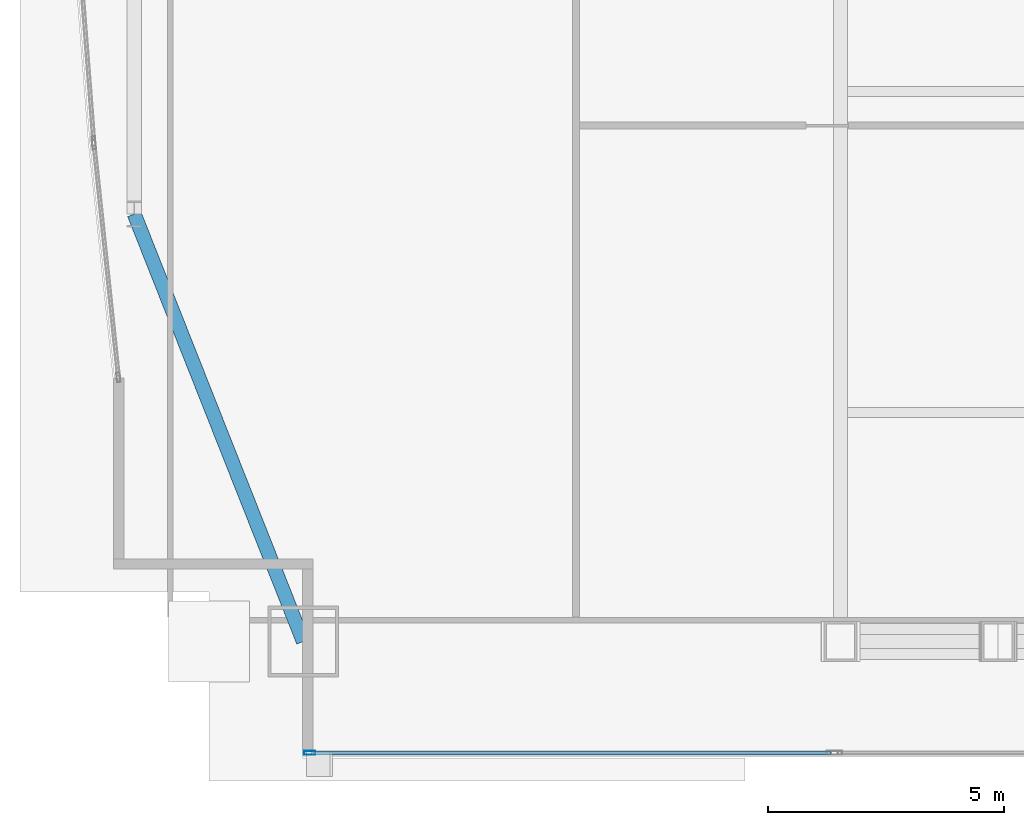
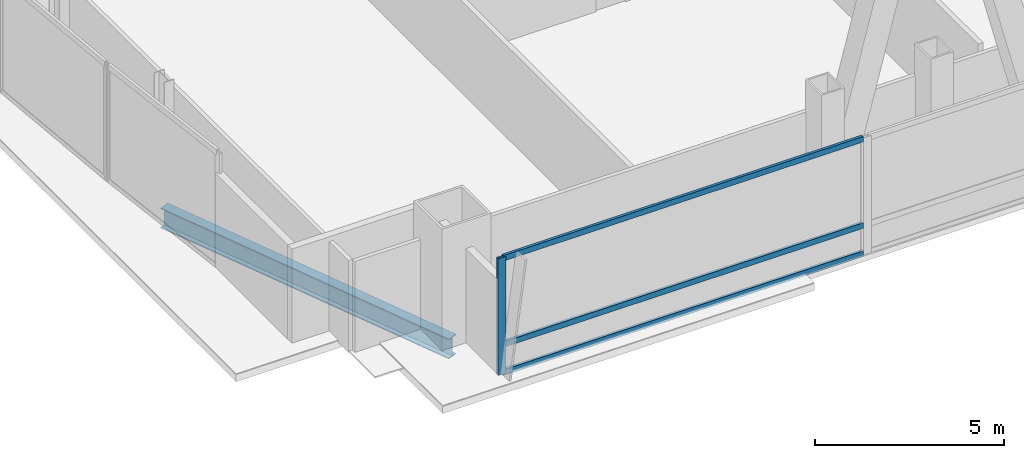
# One storey, part 5 of 32: 4 members, 1 beam, 1 element without a shape of its own.
"""IFC4 building model written with IfcOpenShell, lengths in metres."""

from ifc_helpers import new_model, si_unit, direction, frame, origin, origin_2d, place, context, subcontext, project, spatial, hollow_rectangle, i_section, extrude, material, material_profile, profile_set, type_object, element, aggregate, save


model = new_model("IFC4")

# Units and contexts
model_context = context("Model", 3, precision=1e-05, world=origin(), true_north=direction((0.0, 1.0)))
body_context = subcontext(model_context, "Body", "Model", "MODEL_VIEW")
ifc_project = project(units=[si_unit("LENGTHUNIT", "METRE"), si_unit("AREAUNIT", "SQUARE_METRE"), si_unit("VOLUMEUNIT", "CUBIC_METRE"), si_unit("PLANEANGLEUNIT", "RADIAN"), si_unit("MASSUNIT", "GRAM", prefix="KILO")], contexts=[model_context])

# Site, building, storey
site_placement = place(None, origin())
site = spatial("IfcSite", under=ifc_project, at=site_placement, CompositionType="ELEMENT")
building_placement = place(site_placement, origin())
building = spatial("IfcBuilding", under=site, at=building_placement, Name="Khoronbel Lancet Exchange", CompositionType="ELEMENT")
storey_placement = place(building_placement, frame((0.0, 0.0, 81.800048828125)))
storey = spatial("IfcBuildingStorey", under=building, at=storey_placement, Name="L19", CompositionType="ELEMENT", Elevation=81.800048828125)

# Beam
ifc_material_1 = material(Name="Steel S355", Category="steel")
ifc_material_profile_1 = material_profile(ifc_material_1, i_section(OverallWidth=0.300048828125, OverallDepth=0.64990234375, WebThickness=0.01611328125, FlangeThickness=0.031005859375, at=origin_2d()), Name="HEB 650")
ifc_profile_set_1 = profile_set([ifc_material_profile_1], Name="Steel S355")
beam_type = type_object("IfcBeamType", Name="BM-BSP1", PredefinedType="SPANDREL", material=ifc_profile_set_1)
beam_placement = place(storey_placement, frame((3.27001953125, 19.199951171875, -0.505126953125), z_axis=(0.367850095026, -0.92988510451, 0.0), x_axis=(0.92988510451, 0.367850095026, 0.0)))
element("IfcBeam", 1, at=beam_placement, inside=storey, type_object=beam_type, Name="Level L19 perimeter spandrel beam SP19", PredefinedType="SPANDREL", context=body_context, shape_type="SweptSolid", body=[
    extrude(i_section(OverallWidth=0.300048828125, OverallDepth=0.64990234375, WebThickness=0.01611328125, FlangeThickness=0.031005859375, at=origin_2d()), origin(), (0.0, 0.0, 1.0), 9.732421875),
])

# Curtain wall, members
ifc_material_2 = material(Name="Low-E Solar Control Insulating Glass", Category="glass")
curtain_wall_type = type_object("IfcCurtainWallType", Name="CW-2", PredefinedType="NOTDEFINED", material=ifc_material_2)
curtain_wall_placement = place(storey_placement, origin())
curtain_wall = element("IfcCurtainWall", 2, at=curtain_wall_placement, inside=storey, type_object=curtain_wall_type, Name="Unitised curtain wall CW-L19-SWV", PredefinedType="NOTDEFINED")
ifc_material_3 = material(Name="Bronze-Anodised Aluminium 6063-T6", Category="aluminium")
ifc_material_profile_2 = material_profile(ifc_material_3, hollow_rectangle(XDim=0.0849609375, YDim=0.239990234375, WallThickness=0.006103515625, at=origin_2d()), Name="ALU MULLION 85x240")
ifc_profile_set_2 = profile_set([ifc_material_profile_2], Name="Bronze-Anodised Aluminium 6063-T6")
member_type_1 = type_object("IfcMemberType", Name="MEM-CWM1", PredefinedType="MULLION", material=ifc_profile_set_2)
member_1_placement = place(storey_placement, frame((6.982421875, 7.7900390625, 0.0), z_axis=(0.0, 0.0, 1.0), x_axis=(0.0, 1.0, 0.0)))
member_1 = element("IfcMember", 3, at=member_1_placement, type_object=member_type_1, Name="CW2 mullion 1", PredefinedType="MULLION", context=body_context, shape_type="SweptSolid", body=[
    extrude(hollow_rectangle(XDim=0.0849609375, YDim=0.239990234375, WallThickness=0.006103515625, at=origin_2d()), origin(), (0.0, 0.0, 1.0), 3.780029296875),
])
ifc_material_profile_3 = material_profile(ifc_material_3, hollow_rectangle(XDim=0.0849609375, YDim=0.179931640625, WallThickness=0.0048828125, at=origin_2d()), Name="ALU TRANSOM 85x180")
ifc_profile_set_3 = profile_set([ifc_material_profile_3], Name="Bronze-Anodised Aluminium 6063-T6")
member_type_2 = type_object("IfcMemberType", Name="MEM-CWT1", PredefinedType="USERDEFINED", material=ifc_profile_set_3)
member_2_placement = place(storey_placement, frame((7.02490234375, 7.7900390625, 0.04248046875), z_axis=(1.0, 0.0, 0.0), x_axis=(0.0, 1.0, 0.0)))
member_2 = element("IfcMember", 4, at=member_2_placement, type_object=member_type_2, Name="CW2 transom 1.1", ObjectType="TRANSOM", PredefinedType="USERDEFINED", context=body_context, shape_type="SweptSolid", body=[
    extrude(hollow_rectangle(XDim=0.0849609375, YDim=0.179931640625, WallThickness=0.0048828125, at=origin_2d()), origin(), (0.0, 0.0, 1.0), 10.989990234375),
])
member_3_placement = place(storey_placement, frame((7.02490234375, 7.7900390625, 0.949951171875), z_axis=(1.0, 0.0, 0.0), x_axis=(0.0, 1.0, 0.0)))
member_3 = element("IfcMember", 5, at=member_3_placement, type_object=member_type_2, Name="CW2 transom 1.2", ObjectType="TRANSOM", PredefinedType="USERDEFINED", context=body_context, shape_type="SweptSolid", body=[
    extrude(hollow_rectangle(XDim=0.0849609375, YDim=0.179931640625, WallThickness=0.0048828125, at=origin_2d()), origin(), (0.0, 0.0, 1.0), 10.989990234375),
])
member_4_placement = place(storey_placement, frame((7.02490234375, 7.7900390625, 3.737548828125), z_axis=(1.0, 0.0, 0.0), x_axis=(0.0, 1.0, 0.0)))
member_4 = element("IfcMember", 6, at=member_4_placement, type_object=member_type_2, Name="CW2 transom 1.3", ObjectType="TRANSOM", PredefinedType="USERDEFINED", context=body_context, shape_type="SweptSolid", body=[
    extrude(hollow_rectangle(XDim=0.0849609375, YDim=0.179931640625, WallThickness=0.0048828125, at=origin_2d()), origin(), (0.0, 0.0, 1.0), 10.989990234375),
])
aggregate(curtain_wall, [member_1, member_2, member_3, member_4])

save(model, "model.ifc")
